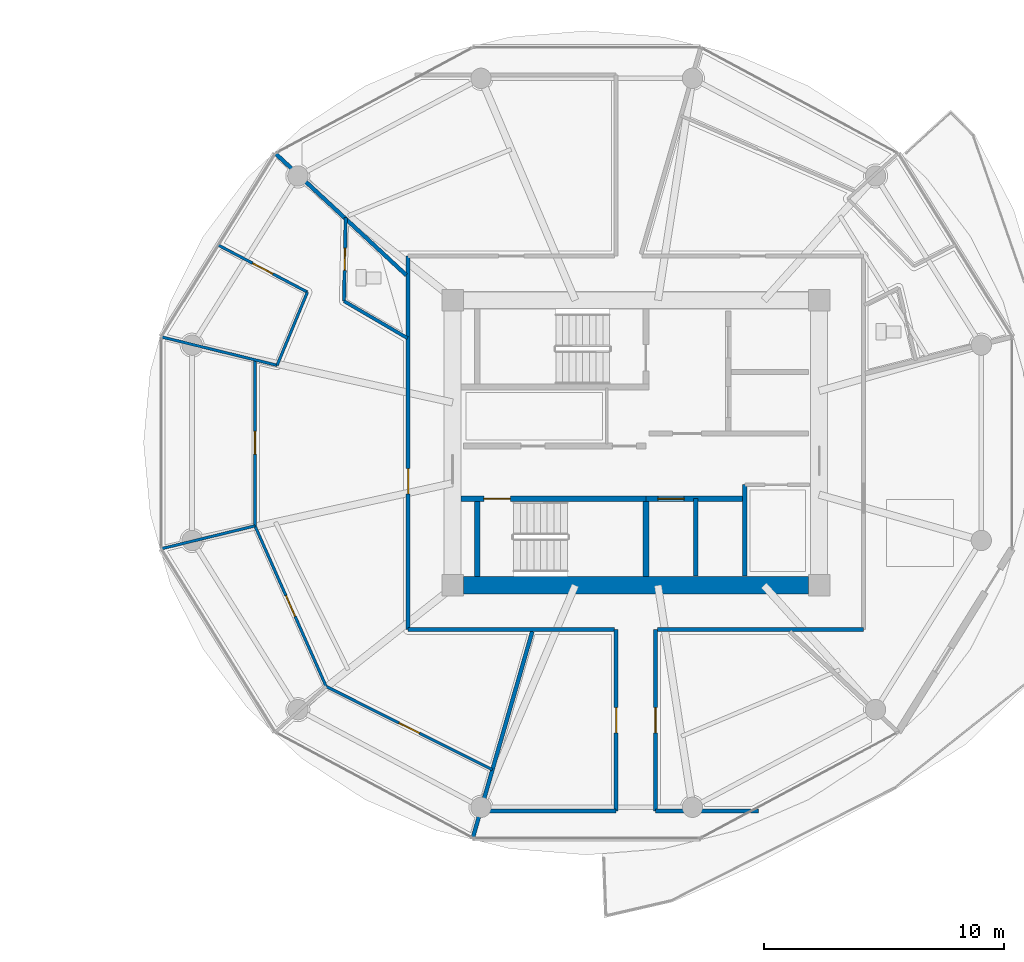
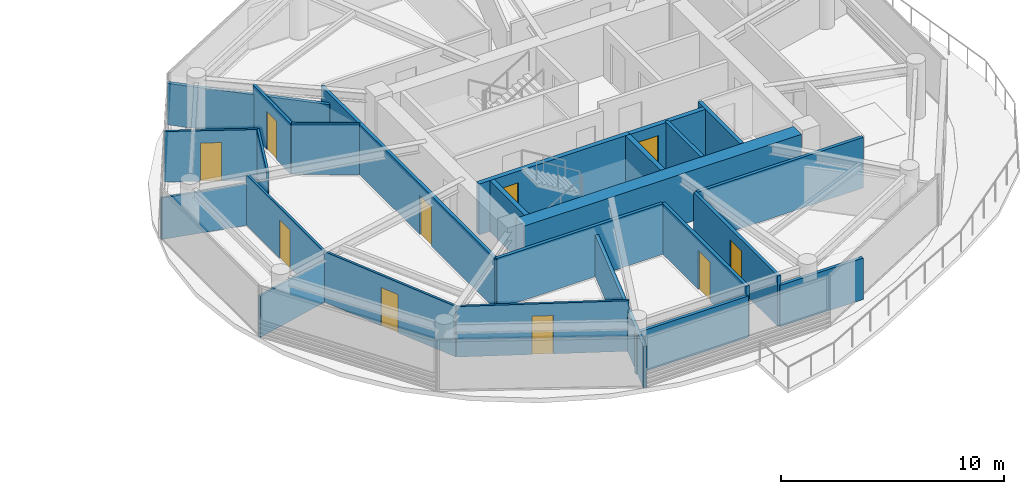
# One storey, part 15 of 25: 25 walls, 10 doors, 10 openings.
"""IFC4 building model written with IfcOpenShell, lengths in metres."""

from ifc_helpers import new_model, si_unit, direction, frame, frame_2d, origin, place, context, subcontext, project, spatial, rectangle, extrude, source, transform, mapped, material, layer, layer_set, type_object, type_shapes, element, fill, save


model = new_model("IFC4")

# Units and contexts
model_context = context("Model", 3, precision=1e-05, world=origin(), true_north=direction((0.0, 1.0)))
body_context = subcontext(model_context, "Body", "Model", "MODEL_VIEW")
ifc_project = project(units=[si_unit("LENGTHUNIT", "METRE"), si_unit("AREAUNIT", "SQUARE_METRE"), si_unit("VOLUMEUNIT", "CUBIC_METRE"), si_unit("PLANEANGLEUNIT", "RADIAN"), si_unit("MASSUNIT", "GRAM", prefix="KILO")], contexts=[model_context])

# Site, building, storey
site_placement = place(None, origin())
site = spatial("IfcSite", under=ifc_project, at=site_placement, CompositionType="ELEMENT")
building_placement = place(site_placement, origin())
building = spatial("IfcBuilding", under=site, at=building_placement, Name="Norrkilde Senior Care Towers", CompositionType="ELEMENT")
storey_placement = place(building_placement, frame((0.0, 0.0, 99.300048828125)))
storey = spatial("IfcBuildingStorey", under=building, at=storey_placement, Name="L30", CompositionType="ELEMENT", Elevation=99.300048828125)

# Walls
ifc_material_1 = material(Name="Concrete C60/75", Category="concrete")
ifc_layer_1 = layer(ifc_material_1, 0.719970703125)
ifc_layer_set_1 = layer_set([ifc_layer_1], Name="Concrete C60/75")
wall_type_1 = type_object("IfcWallType", Name="Core Shear Wall Z2 720", PredefinedType="SHEAR", material=ifc_layer_set_1)
shared_shape_1 = source(origin(), body_context, "Body", "SweptSolid", [
    extrude(rectangle(XDim=14.39990234375, YDim=0.719970703125, at=frame_2d((7.199951171875, 0.0))), origin(), (0.0, 0.0, 1.0), 2.7900390625),
])
type_shapes(wall_type_1, [shared_shape_1])
wall_1_placement = place(storey_placement, frame((35.199951171875, -5.949951171875, 0.0), z_axis=(0.0, 0.0, 1.0), x_axis=(-1.0, 0.0, 0.0)))
element("IfcWall", 1, at=wall_1_placement, inside=storey, type_object=wall_type_1, Name="L30 Core E South Shear Wall", PredefinedType="SHEAR", context=body_context, shape_type="MappedRepresentation", body=[
    mapped(shared_shape_1, transform((0.0, 0.0, 0.0), x_axis=(1.0, 0.0, 0.0), y_axis=(0.0, 1.0, 0.0), z_axis=(0.0, 0.0, 1.0), scale=1.0)),
])
ifc_material_2 = material(Name="Concrete C45/55", Category="concrete")
ifc_layer_2 = layer(ifc_material_2, 0.199951171875)
ifc_layer_set_2 = layer_set([ifc_layer_2], Name="Concrete C45/55")
wall_type_2 = type_object("IfcWallType", Name="Shaft Division and Plant Partition 200", PredefinedType="PARTITIONING", material=ifc_layer_set_2)
shared_shape_2 = source(origin(), body_context, "Body", "SweptSolid", [
    extrude(rectangle(XDim=3.800048828125, YDim=0.199951171875, at=frame_2d((1.89990234375, 0.0))), origin(), (0.0, 0.0, 1.0), 2.77490234375),
])
type_shapes(wall_type_2, [shared_shape_2])
wall_2_placement = place(storey_placement, frame((32.550048828125, -5.550048828125, 0.0), z_axis=(0.0, 0.0, 1.0), x_axis=(0.0, 1.0, 0.0)))
element("IfcWall", 2, at=wall_2_placement, inside=storey, type_object=wall_type_2, Name="WL-INT-L30-E-PKBE", PredefinedType="PARTITIONING", context=body_context, shape_type="MappedRepresentation", body=[
    mapped(shared_shape_2, transform((0.0, 0.0, 0.0), x_axis=(1.0, 0.0, 0.0), y_axis=(0.0, 1.0, 0.0), z_axis=(0.0, 0.0, 1.0), scale=1.0)),
])

# Wall, opening, door
ifc_layer_3 = layer(ifc_material_2, 0.239990234375)
ifc_layer_set_3 = layer_set([ifc_layer_3], Name="Concrete C45/55")
wall_type_3 = type_object("IfcWallType", Name="Lift and Plant Rated Enclosure Partition 240", PredefinedType="PARTITIONING", material=ifc_layer_set_3)
shared_shape_3 = source(origin(), body_context, "Body", "SweptSolid", [
    extrude(rectangle(XDim=4.130126953125, YDim=0.239990234375, at=frame_2d((2.06494140625, 0.0))), origin(), (0.0, 0.0, 1.0), 2.77490234375),
])
type_shapes(wall_type_3, [shared_shape_3])
wall_3_placement = place(storey_placement, frame((28.419921875, -2.330078125, 0.0), z_axis=(0.0, 0.0, 1.0), x_axis=(1.0, 0.0, 0.0)))
wall_3 = element("IfcWall", 3, at=wall_3_placement, inside=storey, type_object=wall_type_3, Name="WL-INT-L30-E-PKBN", PredefinedType="PARTITIONING", context=body_context, shape_type="MappedRepresentation", body=[
    mapped(shared_shape_3, transform((0.0, 0.0, 0.0), x_axis=(1.0, 0.0, 0.0), y_axis=(0.0, 1.0, 0.0), z_axis=(0.0, 0.0, 1.0), scale=1.0)),
])
opening_1_placement = place(wall_3_placement, frame((0.5, 0.0, 0.0)))
opening_1 = element("IfcOpeningElement", 4, at=opening_1_placement, cuts=wall_3, Name="Opening LD-01", PredefinedType="OPENING", context=body_context, shape_type="SweptSolid", body=[
    extrude(rectangle(XDim=1.10009765625, YDim=2.199951171875, at=frame_2d((0.550048828125, 1.10009765625))), frame((0.0, 0.1298828125, 0.0), z_axis=(0.0, -1.0, 0.0), x_axis=(1.0, 0.0, 0.0)), (0.0, 0.0, 1.0), 0.260009765625),
])
ifc_material_3 = material(Name="Stainless Steel", Category="steel")
door_type_1 = type_object("IfcDoorType", Name="Lift Landing Sliding Door 1100x2200", OperationType="NOTDEFINED", PredefinedType="DOOR", material=ifc_material_3)
shared_shape_4 = source(origin(), body_context, "Body", "SweptSolid", [
    extrude(rectangle(XDim=1.10009765625, YDim=2.199951171875, at=frame_2d((0.550048828125, 1.10009765625))), frame((0.0, 0.02490234375, 0.0), z_axis=(0.0, -1.0, 0.0), x_axis=(1.0, 0.0, 0.0)), (0.0, 0.0, 1.0), 0.050048828125),
])
type_shapes(door_type_1, [shared_shape_4])
door_1_placement = place(opening_1_placement, frame((1.10009765625, 0.0, 0.0), z_axis=(0.0, 0.0, 1.0), x_axis=(-1.0, 0.0, 0.0)))
door_1 = element("IfcDoor", 5, at=door_1_placement, inside=storey, type_object=door_type_1, Name="L30 Passenger Lift E3 Landing Door", OperationType="SLIDING_TO_LEFT", OverallHeight=2.199951171875, OverallWidth=1.10009765625, PredefinedType="DOOR", context=body_context, shape_type="MappedRepresentation", body=[
    mapped(shared_shape_4, transform((0.0, 0.0, 0.0), x_axis=(1.0, 0.0, 0.0), y_axis=(0.0, 1.0, 0.0), z_axis=(0.0, 0.0, 1.0), scale=1.0)),
])
fill(opening_1, door_1)

# Wall
ifc_layer_4 = layer(ifc_material_2, 0.179931640625)
ifc_layer_set_4 = layer_set([ifc_layer_4], Name="Concrete C45/55")
wall_type_4 = type_object("IfcWallType", Name="Hoistway Division Rated Partition 180", PredefinedType="PARTITIONING", material=ifc_layer_set_4)
shared_shape_5 = source(origin(), body_context, "Body", "SweptSolid", [
    extrude(rectangle(XDim=3.219970703125, YDim=0.179931640625, at=frame_2d((1.60986328125, 0.0))), origin(), (0.0, 0.0, 1.0), 2.77490234375),
])
type_shapes(wall_type_4, [shared_shape_5])
wall_4_placement = place(storey_placement, frame((30.5, -5.550048828125, 0.0), z_axis=(0.0, 0.0, 1.0), x_axis=(0.0, 1.0, 0.0)))
element("IfcWall", 6, at=wall_4_placement, inside=storey, type_object=wall_type_4, Name="WL-INT-L30-E-PL34", PredefinedType="PARTITIONING", context=body_context, shape_type="MappedRepresentation", body=[
    mapped(shared_shape_5, transform((0.0, 0.0, 0.0), x_axis=(1.0, 0.0, 0.0), y_axis=(0.0, 1.0, 0.0), z_axis=(0.0, 0.0, 1.0), scale=1.0)),
])

# Wall, opening, door
ifc_material_4 = material(Name="Gypsum Acoustic Board")
ifc_layer_5 = layer(ifc_material_4, 0.1650390625)
ifc_layer_set_5 = layer_set([ifc_layer_5], Name="Gypsum Acoustic Board")
wall_type_5 = type_object("IfcWallType", Name="Corridor Rated Partition 165", PredefinedType="PARTITIONING", material=ifc_layer_set_5)
shared_shape_6 = source(origin(), body_context, "Body", "SweptSolid", [
    extrude(rectangle(XDim=15.60009765625, YDim=0.1650390625, at=frame_2d((7.800048828125, 0.0))), origin(), (0.0, 0.0, 1.0), 2.77490234375),
])
wall_5_placement = place(storey_placement, frame((18.5, -7.800048828125, 0.0), z_axis=(0.0, 0.0, 1.0), x_axis=(0.0, 1.0, 0.0)))
wall_5 = element("IfcWall", 7, at=wall_5_placement, inside=storey, type_object=wall_type_5, Name="WL-INT-L30-E-CRW-W-0", PredefinedType="PARTITIONING", context=body_context, shape_type="MappedRepresentation", body=[
    mapped(shared_shape_6, transform((0.0, 0.0, 0.0), x_axis=(1.0, 0.0, 0.0), y_axis=(0.0, 1.0, 0.0), z_axis=(0.0, 0.0, 1.0), scale=1.0)),
])
opening_2_placement = place(wall_5_placement, frame((5.672607421875, 0.0, 0.0)))
opening_2 = element("IfcOpeningElement", 8, at=opening_2_placement, cuts=wall_5, Name="Opening D-06", PredefinedType="OPENING", context=body_context, shape_type="SweptSolid", body=[
    extrude(rectangle(XDim=1.050048828125, YDim=2.14990234375, at=frame_2d((0.52490234375, 1.074951171875))), frame((0.0, 0.092529296875, 0.0), z_axis=(0.0, -1.0, 0.0), x_axis=(1.0, 0.0, 0.0)), (0.0, 0.0, 1.0), 0.18505859375),
])
ifc_material_5 = material(Name="Nordic Ash Timber", Category="wood")
door_type_2 = type_object("IfcDoorType", Name="Apartment Entrance Fire Door 1050x2150", OperationType="NOTDEFINED", PredefinedType="DOOR", material=ifc_material_5)
shared_shape_7 = source(origin(), body_context, "Body", "SweptSolid", [
    extrude(rectangle(XDim=1.050048828125, YDim=2.14990234375, at=frame_2d((0.52490234375, 1.074951171875))), frame((0.0, 0.02490234375, 0.0), z_axis=(0.0, -1.0, 0.0), x_axis=(1.0, 0.0, 0.0)), (0.0, 0.0, 1.0), 0.050048828125),
])
type_shapes(door_type_2, [shared_shape_7])
door_2_placement = place(opening_2_placement, frame((1.050048828125, 0.0, 0.0), z_axis=(0.0, 0.0, 1.0), x_axis=(-1.0, 0.0, 0.0)))
door_2 = element("IfcDoor", 9, at=door_2_placement, inside=storey, type_object=door_type_2, Name="Apartment 30A Entrance Door", OperationType="SINGLE_SWING_LEFT", OverallHeight=2.14990234375, OverallWidth=1.050048828125, PredefinedType="DOOR", context=body_context, shape_type="MappedRepresentation", body=[
    mapped(shared_shape_7, transform((0.0, 0.0, 0.0), x_axis=(1.0, 0.0, 0.0), y_axis=(0.0, 1.0, 0.0), z_axis=(0.0, 0.0, 1.0), scale=1.0)),
])
fill(opening_2, door_2)

ifc_layer_6 = layer(ifc_material_2, 0.239990234375)
ifc_layer_set_6 = layer_set([ifc_layer_6], Name="Concrete C45/55")
wall_type_6 = type_object("IfcWallType", Name="Shaft and Stair Enclosure Wall 240", PredefinedType="PARTITIONING", material=ifc_layer_set_6)
shared_shape_8 = source(origin(), body_context, "Body", "SweptSolid", [
    extrude(rectangle(XDim=7.830078125, YDim=0.239990234375, at=frame_2d((3.9150390625, 0.0))), origin(), (0.0, 0.0, 1.0), 2.7900390625),
])
wall_6_placement = place(storey_placement, frame((20.7099609375, -2.330078125, 0.0), z_axis=(0.0, 0.0, 1.0), x_axis=(1.0, 0.0, 0.0)))
wall_6 = element("IfcWall", 10, at=wall_6_placement, inside=storey, type_object=wall_type_6, Name="WL-INT-L30-E-ST2N", PredefinedType="PARTITIONING", context=body_context, shape_type="MappedRepresentation", body=[
    mapped(shared_shape_8, transform((0.0, 0.0, 0.0), x_axis=(1.0, 0.0, 0.0), y_axis=(0.0, 1.0, 0.0), z_axis=(0.0, 0.0, 1.0), scale=1.0)),
])
opening_3_placement = place(wall_6_placement, frame((0.949951171875, 0.0, 0.0)))
opening_3 = element("IfcOpeningElement", 11, at=opening_3_placement, cuts=wall_6, Name="Opening D-03", PredefinedType="OPENING", context=body_context, shape_type="SweptSolid", body=[
    extrude(rectangle(XDim=1.10009765625, YDim=2.14990234375, at=frame_2d((0.550048828125, 1.074951171875))), frame((0.0, 0.1298828125, 0.0), z_axis=(0.0, -1.0, 0.0), x_axis=(1.0, 0.0, 0.0)), (0.0, 0.0, 1.0), 0.260009765625),
])
ifc_material_6 = material(Name="Galvanised Painted Steel", Category="steel")
door_type_3 = type_object("IfcDoorType", Name="Stairwell Protected Fire Door 1100x2150", OperationType="NOTDEFINED", PredefinedType="DOOR", material=ifc_material_6)
shared_shape_9 = source(origin(), body_context, "Body", "SweptSolid", [
    extrude(rectangle(XDim=1.10009765625, YDim=2.14990234375, at=frame_2d((0.550048828125, 1.074951171875))), frame((0.0, 0.02490234375, 0.0), z_axis=(0.0, -1.0, 0.0), x_axis=(1.0, 0.0, 0.0)), (0.0, 0.0, 1.0), 0.050048828125),
])
type_shapes(door_type_3, [shared_shape_9])
door_3_placement = place(opening_3_placement, frame((1.10009765625, 0.0, 0.0), z_axis=(0.0, 0.0, 1.0), x_axis=(-1.0, 0.0, 0.0)))
door_3 = element("IfcDoor", 12, at=door_3_placement, inside=storey, type_object=door_type_3, Name="L30 Stair E2 Fire Door", OperationType="SINGLE_SWING_RIGHT", OverallHeight=2.14990234375, OverallWidth=1.10009765625, PredefinedType="DOOR", context=body_context, shape_type="MappedRepresentation", body=[
    mapped(shared_shape_9, transform((0.0, 0.0, 0.0), x_axis=(1.0, 0.0, 0.0), y_axis=(0.0, 1.0, 0.0), z_axis=(0.0, 0.0, 1.0), scale=1.0)),
])
fill(opening_3, door_3)

# Walls
shared_shape_10 = source(origin(), body_context, "Body", "SweptSolid", [
    extrude(rectangle(XDim=3.14013671875, YDim=0.239990234375, at=frame_2d((1.570068359375, 0.0))), origin(), (0.0, 0.0, 1.0), 2.7900390625),
])
type_shapes(wall_type_6, [shared_shape_8, shared_shape_10])
for number, where, z_axis, x_axis, name in (
    (13, (21.3798828125, -5.590087890625, 0.0), (0.0, 0.0, 1.0), (0.0, 1.0, 0.0), "WL-INT-L30-E-ST2W"),
    (14, (28.419921875, -5.590087890625, 0.0), (0.0, 0.0, 1.0), (0.0, 1.0, 0.0), "WL-INT-L30-E-ST2E"),
):
    element("IfcWall", number, at=place(storey_placement, frame(where, z_axis=z_axis, x_axis=x_axis)), inside=storey, type_object=wall_type_6, Name=name, PredefinedType="PARTITIONING", context=body_context, shape_type="MappedRepresentation", body=[
        mapped(shared_shape_10, transform((0.0, 0.0, 0.0), x_axis=(1.0, 0.0, 0.0), y_axis=(0.0, 1.0, 0.0), z_axis=(0.0, 0.0, 1.0), scale=1.0)),
    ])
shared_shape_11 = source(origin(), body_context, "Body", "SweptSolid", [
    extrude(rectangle(XDim=8.60009765625, YDim=0.1650390625, at=frame_2d((4.300048828125, 0.0))), origin(), (0.0, 0.0, 1.0), 2.77490234375),
])
for number, where, z_axis, x_axis, name in (
    (15, (37.5, -7.800048828125, 0.0), (0.0, 0.0, 1.0), (-1.0, 0.0, 0.0), "WL-INT-L30-E-CRW-S-0"),
    (16, (27.10009765625, -7.800048828125, 0.0), (0.0, 0.0, 1.0), (-1.0, 0.0, 0.0), "WL-INT-L30-E-CRW-S-1"),
):
    element("IfcWall", number, at=place(storey_placement, frame(where, z_axis=z_axis, x_axis=x_axis)), inside=storey, type_object=wall_type_5, Name=name, PredefinedType="PARTITIONING", context=body_context, shape_type="MappedRepresentation", body=[
        mapped(shared_shape_11, transform((0.0, 0.0, 0.0), x_axis=(1.0, 0.0, 0.0), y_axis=(0.0, 1.0, 0.0), z_axis=(0.0, 0.0, 1.0), scale=1.0)),
    ])
shared_shape_12 = source(origin(), body_context, "Body", "SweptSolid", [
    extrude(rectangle(XDim=8.9892578125, YDim=0.1650390625, at=frame_2d((4.49462890625, 0.0))), origin(), (0.0, 0.0, 1.0), 2.27490234375),
])
wall_7_placement = place(storey_placement, frame((23.677978515625, -7.8798828125, 0.0), z_axis=(0.0, 0.0, 1.0), x_axis=(-0.27702323008, -0.960863221274, 0.0)))
element("IfcWall", 17, at=wall_7_placement, inside=storey, type_object=wall_type_5, Name="WL-INT-L30-E-DEM-08-0", PredefinedType="PARTITIONING", context=body_context, shape_type="MappedRepresentation", body=[
    mapped(shared_shape_12, transform((0.0, 0.0, 0.0), x_axis=(1.0, 0.0, 0.0), y_axis=(0.0, 1.0, 0.0), z_axis=(0.0, 0.0, 1.0), scale=1.0)),
])
shared_shape_13 = source(origin(), body_context, "Body", "SweptSolid", [
    extrude(rectangle(XDim=7.482177734375, YDim=0.1650390625, at=frame_2d((3.7412109375, 0.0))), origin(), (0.0, 0.0, 1.0), 2.27490234375),
])
wall_8_placement = place(storey_placement, frame((18.419921875, 6.998046875, 0.0), z_axis=(0.0, 0.0, 1.0), x_axis=(-0.732508698043, 0.680757671489, 0.0)))
element("IfcWall", 18, at=wall_8_placement, inside=storey, type_object=wall_type_5, Name="WL-INT-L30-E-DEM-04-0", PredefinedType="PARTITIONING", context=body_context, shape_type="MappedRepresentation", body=[
    mapped(shared_shape_13, transform((0.0, 0.0, 0.0), x_axis=(1.0, 0.0, 0.0), y_axis=(0.0, 1.0, 0.0), z_axis=(0.0, 0.0, 1.0), scale=1.0)),
])

# Wall, opening, door
shared_shape_14 = source(origin(), body_context, "Body", "SweptSolid", [
    extrude(rectangle(XDim=7.56005859375, YDim=0.1650390625, at=frame_2d((3.780029296875, 0.0))), origin(), (0.0, 0.0, 1.0), 2.77490234375),
])
wall_9_placement = place(storey_placement, frame((27.179931640625, -15.360107421875, 0.0), z_axis=(0.0, 0.0, 1.0), x_axis=(0.0, 1.0, 0.0)))
wall_9 = element("IfcWall", 19, at=wall_9_placement, inside=storey, type_object=wall_type_5, Name="WL-INT-L30-E-PKW-SWL", PredefinedType="PARTITIONING", context=body_context, shape_type="MappedRepresentation", body=[
    mapped(shared_shape_14, transform((0.0, 0.0, 0.0), x_axis=(1.0, 0.0, 0.0), y_axis=(0.0, 1.0, 0.0), z_axis=(0.0, 0.0, 1.0), scale=1.0)),
])
opening_4_placement = place(wall_9_placement, frame((3.2548828125, 0.0, 0.0)))
opening_4 = element("IfcOpeningElement", 20, at=opening_4_placement, cuts=wall_9, Name="Opening D-06", PredefinedType="OPENING", context=body_context, shape_type="SweptSolid", body=[
    extrude(rectangle(XDim=1.050048828125, YDim=2.14990234375, at=frame_2d((0.52490234375, 1.074951171875))), frame((0.0, 0.092529296875, 0.0), z_axis=(0.0, -1.0, 0.0), x_axis=(1.0, 0.0, 0.0)), (0.0, 0.0, 1.0), 0.18505859375),
])
door_4_placement = place(opening_4_placement, frame((1.050048828125, 0.0, 0.0), z_axis=(0.0, 0.0, 1.0), x_axis=(-1.0, 0.0, 0.0)))
door_4 = element("IfcDoor", 21, at=door_4_placement, inside=storey, type_object=door_type_2, Name="L30 Reading Lounge SWL Door", OperationType="SINGLE_SWING_RIGHT", OverallHeight=2.14990234375, OverallWidth=1.050048828125, PredefinedType="DOOR", context=body_context, shape_type="MappedRepresentation", body=[
    mapped(shared_shape_7, transform((0.0, 0.0, 0.0), x_axis=(1.0, 0.0, 0.0), y_axis=(0.0, 1.0, 0.0), z_axis=(0.0, 0.0, 1.0), scale=1.0)),
])
fill(opening_4, door_4)

wall_10_placement = place(storey_placement, frame((28.820068359375, -15.360107421875, 0.0), z_axis=(0.0, 0.0, 1.0), x_axis=(0.0, 1.0, 0.0)))
wall_10 = element("IfcWall", 22, at=wall_10_placement, inside=storey, type_object=wall_type_5, Name="WL-INT-L30-E-PKW-SEL", PredefinedType="PARTITIONING", context=body_context, shape_type="MappedRepresentation", body=[
    mapped(shared_shape_14, transform((0.0, 0.0, 0.0), x_axis=(1.0, 0.0, 0.0), y_axis=(0.0, 1.0, 0.0), z_axis=(0.0, 0.0, 1.0), scale=1.0)),
])
opening_5_placement = place(wall_10_placement, frame((3.2548828125, 0.0, 0.0)))
opening_5 = element("IfcOpeningElement", 23, at=opening_5_placement, cuts=wall_10, Name="Opening D-06", PredefinedType="OPENING", context=body_context, shape_type="SweptSolid", body=[
    extrude(rectangle(XDim=1.050048828125, YDim=2.14990234375, at=frame_2d((0.52490234375, 1.074951171875))), frame((0.0, 0.092529296875, 0.0), z_axis=(0.0, -1.0, 0.0), x_axis=(1.0, 0.0, 0.0)), (0.0, 0.0, 1.0), 0.18505859375),
])
door_5_placement = place(opening_5_placement, frame((1.050048828125, 0.0, 0.0), z_axis=(0.0, 0.0, 1.0), x_axis=(-1.0, 0.0, 0.0)))
door_5 = element("IfcDoor", 24, at=door_5_placement, inside=storey, type_object=door_type_2, Name="L30 Reading Lounge SEL Door", OperationType="SINGLE_SWING_RIGHT", OverallHeight=2.14990234375, OverallWidth=1.050048828125, PredefinedType="DOOR", context=body_context, shape_type="MappedRepresentation", body=[
    mapped(shared_shape_7, transform((0.0, 0.0, 0.0), x_axis=(1.0, 0.0, 0.0), y_axis=(0.0, 1.0, 0.0), z_axis=(0.0, 0.0, 1.0), scale=1.0)),
])
fill(opening_5, door_5)

# Walls
shared_shape_15 = source(origin(), body_context, "Body", "SweptSolid", [
    extrude(rectangle(XDim=4.306884765625, YDim=0.1650390625, at=frame_2d((2.1533203125, 0.0))), origin(), (0.0, 0.0, 1.0), 2.27490234375),
])
wall_11_placement = place(storey_placement, frame((28.820068359375, -15.360107421875, 0.0), z_axis=(0.0, 0.0, 1.0), x_axis=(1.0, 0.0, 0.0)))
element("IfcWall", 25, at=wall_11_placement, inside=storey, type_object=wall_type_5, Name="WL-INT-L30-E-PKH-SEL-0", PredefinedType="PARTITIONING", context=body_context, shape_type="MappedRepresentation", body=[
    mapped(shared_shape_15, transform((0.0, 0.0, 0.0), x_axis=(1.0, 0.0, 0.0), y_axis=(0.0, 1.0, 0.0), z_axis=(0.0, 0.0, 1.0), scale=1.0)),
])
shared_shape_16 = source(origin(), body_context, "Body", "SweptSolid", [
    extrude(rectangle(XDim=5.81396484375, YDim=0.1650390625, at=frame_2d((2.906982421875, 0.0))), origin(), (0.0, 0.0, 1.0), 2.27490234375),
])
type_shapes(wall_type_5, [shared_shape_6, shared_shape_11, shared_shape_12, shared_shape_13, shared_shape_14, shared_shape_15, shared_shape_16])
wall_12_placement = place(storey_placement, frame((21.365966796875, -15.360107421875, 0.0), z_axis=(0.0, 0.0, 1.0), x_axis=(1.0, 0.0, 0.0)))
element("IfcWall", 26, at=wall_12_placement, inside=storey, type_object=wall_type_5, Name="WL-INT-L30-E-PKH-SWL-0", PredefinedType="PARTITIONING", context=body_context, shape_type="MappedRepresentation", body=[
    mapped(shared_shape_16, transform((0.0, 0.0, 0.0), x_axis=(1.0, 0.0, 0.0), y_axis=(0.0, 1.0, 0.0), z_axis=(0.0, 0.0, 1.0), scale=1.0)),
])

# Wall, opening, door
ifc_layer_7 = layer(ifc_material_4, 0.114990234375)
ifc_layer_set_7 = layer_set([ifc_layer_7], Name="Gypsum Acoustic Board")
wall_type_7 = type_object("IfcWallType", Name="Internal Room Partition 115", PredefinedType="PARTITIONING", material=ifc_layer_set_7)
shared_shape_17 = source(origin(), body_context, "Body", "SweptSolid", [
    extrude(rectangle(XDim=7.76708984375, YDim=0.114990234375, at=frame_2d((3.883544921875, 0.0))), origin(), (0.0, 0.0, 1.0), 2.77490234375),
])
wall_13_placement = place(storey_placement, frame((15.069580078125, -10.16748046875, 0.0), z_axis=(0.0, 0.0, 1.0), x_axis=(0.894188177352, -0.447691303783, 0.0)))
wall_13 = element("IfcWall", 27, at=wall_13_placement, inside=storey, type_object=wall_type_7, Name="WL-INT-L30-E-UBC-04-3", PredefinedType="PARTITIONING", context=body_context, shape_type="MappedRepresentation", body=[
    mapped(shared_shape_17, transform((0.0, 0.0, 0.0), x_axis=(1.0, 0.0, 0.0), y_axis=(0.0, 1.0, 0.0), z_axis=(0.0, 0.0, 1.0), scale=1.0)),
])
opening_6_placement = place(wall_13_placement, frame((3.40869140625, 0.0, 0.0)))
opening_6 = element("IfcOpeningElement", 28, at=opening_6_placement, cuts=wall_13, Name="Opening D-07", PredefinedType="OPENING", context=body_context, shape_type="SweptSolid", body=[
    extrude(rectangle(XDim=0.949951171875, YDim=2.10009765625, at=frame_2d((0.47509765625, 1.050048828125))), frame((0.0, 0.0673828125, 0.0), z_axis=(0.0, -1.0, 0.0), x_axis=(1.0, 0.0, 0.0)), (0.0, 0.0, 1.0), 0.135009765625),
])
door_type_4 = type_object("IfcDoorType", Name="Internal Suite Bedroom Door 950x2100", OperationType="NOTDEFINED", PredefinedType="DOOR", material=ifc_material_5)
shared_shape_18 = source(origin(), body_context, "Body", "SweptSolid", [
    extrude(rectangle(XDim=0.949951171875, YDim=2.10009765625, at=frame_2d((0.47509765625, 1.050048828125))), frame((0.0, 0.02490234375, 0.0), z_axis=(0.0, -1.0, 0.0), x_axis=(1.0, 0.0, 0.0)), (0.0, 0.0, 1.0), 0.050048828125),
])
type_shapes(door_type_4, [shared_shape_18])
door_6_placement = place(opening_6_placement, origin())
door_6 = element("IfcDoor", 29, at=door_6_placement, inside=storey, type_object=door_type_4, Name="Apartment 30A Bedroom 3 Door", OperationType="SINGLE_SWING_RIGHT", OverallHeight=2.10009765625, OverallWidth=0.949951171875, PredefinedType="DOOR", context=body_context, shape_type="MappedRepresentation", body=[
    mapped(shared_shape_18, transform((0.0, 0.0, 0.0), x_axis=(1.0, 0.0, 0.0), y_axis=(0.0, 1.0, 0.0), z_axis=(0.0, 0.0, 1.0), scale=1.0)),
])
fill(opening_6, door_6)

shared_shape_19 = source(origin(), body_context, "Body", "SweptSolid", [
    extrude(rectangle(XDim=6.93505859375, YDim=0.114990234375, at=frame_2d((3.467529296875, 0.0))), origin(), (0.0, 0.0, 1.0), 2.77490234375),
])
wall_14_placement = place(storey_placement, frame((12.10107421875, 3.467529296875, 0.0), z_axis=(0.0, 0.0, 1.0), x_axis=(0.0, -1.0, 0.0)))
wall_14 = element("IfcWall", 30, at=wall_14_placement, inside=storey, type_object=wall_type_7, Name="WL-INT-L30-E-UBC-04-1", PredefinedType="PARTITIONING", context=body_context, shape_type="MappedRepresentation", body=[
    mapped(shared_shape_19, transform((0.0, 0.0, 0.0), x_axis=(1.0, 0.0, 0.0), y_axis=(0.0, 1.0, 0.0), z_axis=(0.0, 0.0, 1.0), scale=1.0)),
])
opening_7_placement = place(wall_14_placement, frame((2.99267578125, 0.0, 0.0)))
opening_7 = element("IfcOpeningElement", 31, at=opening_7_placement, cuts=wall_14, Name="Opening D-07", PredefinedType="OPENING", context=body_context, shape_type="SweptSolid", body=[
    extrude(rectangle(XDim=0.949951171875, YDim=2.10009765625, at=frame_2d((0.47509765625, 1.050048828125))), frame((0.0, 0.0673828125, 0.0), z_axis=(0.0, -1.0, 0.0), x_axis=(1.0, 0.0, 0.0)), (0.0, 0.0, 1.0), 0.135009765625),
])
door_7_placement = place(opening_7_placement, origin())
door_7 = element("IfcDoor", 32, at=door_7_placement, inside=storey, type_object=door_type_4, Name="Apartment 30A Bedroom 1 Door", OperationType="SINGLE_SWING_RIGHT", OverallHeight=2.10009765625, OverallWidth=0.949951171875, PredefinedType="DOOR", context=body_context, shape_type="MappedRepresentation", body=[
    mapped(shared_shape_18, transform((0.0, 0.0, 0.0), x_axis=(1.0, 0.0, 0.0), y_axis=(0.0, 1.0, 0.0), z_axis=(0.0, 0.0, 1.0), scale=1.0)),
])
fill(opening_7, door_7)

# Wall
shared_shape_20 = source(origin(), body_context, "Body", "SweptSolid", [
    extrude(rectangle(XDim=4.992431640625, YDim=0.114990234375, at=frame_2d((2.49609375, 0.0))), origin(), (0.0, 0.0, 1.0), 2.27490234375),
])
wall_15_placement = place(storey_placement, frame((13.025634765625, 3.236083984375, 0.0), z_axis=(0.0, 0.0, 1.0), x_axis=(-0.971191841847, 0.238298985162, 0.0)))
element("IfcWall", 33, at=wall_15_placement, inside=storey, type_object=wall_type_7, Name="WL-INT-L30-E-UBR-04-1", PredefinedType="PARTITIONING", context=body_context, shape_type="MappedRepresentation", body=[
    mapped(shared_shape_20, transform((0.0, 0.0, 0.0), x_axis=(1.0, 0.0, 0.0), y_axis=(0.0, 1.0, 0.0), z_axis=(0.0, 0.0, 1.0), scale=1.0)),
])

# Wall, opening, door
shared_shape_21 = source(origin(), body_context, "Body", "SweptSolid", [
    extrude(rectangle(XDim=7.326171875, YDim=0.114990234375, at=frame_2d((3.6630859375, 0.0))), origin(), (0.0, 0.0, 1.0), 2.77490234375),
])
wall_16_placement = place(storey_placement, frame((12.103515625, -3.467041015625, 0.0), z_axis=(0.0, 0.0, 1.0), x_axis=(0.405263245425, -0.914200033859, 0.0)))
wall_16 = element("IfcWall", 34, at=wall_16_placement, inside=storey, type_object=wall_type_7, Name="WL-INT-L30-E-UBC-04-2", PredefinedType="PARTITIONING", context=body_context, shape_type="MappedRepresentation", body=[
    mapped(shared_shape_21, transform((0.0, 0.0, 0.0), x_axis=(1.0, 0.0, 0.0), y_axis=(0.0, 1.0, 0.0), z_axis=(0.0, 0.0, 1.0), scale=1.0)),
])
opening_8_placement = place(wall_16_placement, frame((3.18798828125, 0.0, 0.0)))
opening_8 = element("IfcOpeningElement", 35, at=opening_8_placement, cuts=wall_16, Name="Opening D-07", PredefinedType="OPENING", context=body_context, shape_type="SweptSolid", body=[
    extrude(rectangle(XDim=0.949951171875, YDim=2.10009765625, at=frame_2d((0.47509765625, 1.050048828125))), frame((0.0, 0.0673828125, 0.0), z_axis=(0.0, -1.0, 0.0), x_axis=(1.0, 0.0, 0.0)), (0.0, 0.0, 1.0), 0.135009765625),
])
door_8_placement = place(opening_8_placement, frame((0.949951171875, 0.0, 0.0), z_axis=(0.0, 0.0, 1.0), x_axis=(-1.0, 0.0, 0.0)))
door_8 = element("IfcDoor", 36, at=door_8_placement, inside=storey, type_object=door_type_4, Name="Apartment 30A Bedroom 2 Door", OperationType="SINGLE_SWING_LEFT", OverallHeight=2.10009765625, OverallWidth=0.949951171875, PredefinedType="DOOR", context=body_context, shape_type="MappedRepresentation", body=[
    mapped(shared_shape_18, transform((0.0, 0.0, 0.0), x_axis=(1.0, 0.0, 0.0), y_axis=(0.0, 1.0, 0.0), z_axis=(0.0, 0.0, 1.0), scale=1.0)),
])
fill(opening_8, door_8)

# Walls
shared_shape_22 = source(origin(), body_context, "Body", "SweptSolid", [
    extrude(rectangle(XDim=4.041748046875, YDim=0.114990234375, at=frame_2d((2.02099609375, 0.0))), origin(), (0.0, 0.0, 1.0), 2.27490234375),
])
wall_17_placement = place(storey_placement, frame((12.103515625, -3.467041015625, 0.0), z_axis=(0.0, 0.0, 1.0), x_axis=(-0.971460277747, -0.237202295014, 0.0)))
element("IfcWall", 37, at=wall_17_placement, inside=storey, type_object=wall_type_7, Name="WL-INT-L30-E-UBR-04-2", PredefinedType="PARTITIONING", context=body_context, shape_type="MappedRepresentation", body=[
    mapped(shared_shape_22, transform((0.0, 0.0, 0.0), x_axis=(1.0, 0.0, 0.0), y_axis=(0.0, 1.0, 0.0), z_axis=(0.0, 0.0, 1.0), scale=1.0)),
])
ifc_layer_8 = layer(ifc_material_4, 0.139892578125)
ifc_layer_set_8 = layer_set([ifc_layer_8], Name="Gypsum Acoustic Board")
wall_type_8 = type_object("IfcWallType", Name="En-suite Wet Room Wall 140", PredefinedType="PARTITIONING", material=ifc_layer_set_8)
shared_shape_23 = source(origin(), body_context, "Body", "SweptSolid", [
    extrude(rectangle(XDim=3.0693359375, YDim=0.139892578125, at=frame_2d((1.53466796875, 0.0))), origin(), (0.0, 0.0, 1.0), 2.77490234375),
])
wall_18_placement = place(storey_placement, frame((18.469970703125, 4.36767578125, 0.0), z_axis=(0.0, 0.0, 1.0), x_axis=(-0.863524911282, 0.504306184371, 0.0)))
element("IfcWall", 38, at=wall_18_placement, inside=storey, type_object=wall_type_8, Name="WL-INT-L30-E-UBTS-04", PredefinedType="PARTITIONING", context=body_context, shape_type="MappedRepresentation", body=[
    mapped(shared_shape_23, transform((0.0, 0.0, 0.0), x_axis=(1.0, 0.0, 0.0), y_axis=(0.0, 1.0, 0.0), z_axis=(0.0, 0.0, 1.0), scale=1.0)),
])

# Wall, opening, door
shared_shape_24 = source(origin(), body_context, "Body", "SweptSolid", [
    extrude(rectangle(XDim=3.486572265625, YDim=0.139892578125, at=frame_2d((1.7431640625, 0.0))), origin(), (0.0, 0.0, 1.0), 2.77490234375),
])
type_shapes(wall_type_8, [shared_shape_23, shared_shape_24])
wall_19_placement = place(storey_placement, frame((15.819580078125, 5.91552734375, 0.0), z_axis=(0.0, 0.0, 1.0), x_axis=(0.020026799331, 0.999799443543, 0.0)))
wall_19 = element("IfcWall", 39, at=wall_19_placement, inside=storey, type_object=wall_type_8, Name="WL-INT-L30-E-UBTF-04", PredefinedType="PARTITIONING", context=body_context, shape_type="MappedRepresentation", body=[
    mapped(shared_shape_24, transform((0.0, 0.0, 0.0), x_axis=(1.0, 0.0, 0.0), y_axis=(0.0, 1.0, 0.0), z_axis=(0.0, 0.0, 1.0), scale=1.0)),
])
opening_9_placement = place(wall_19_placement, frame((1.283447265625, 0.0, 0.0)))
opening_9 = element("IfcOpeningElement", 40, at=opening_9_placement, cuts=wall_19, Name="Opening D-08", PredefinedType="OPENING", context=body_context, shape_type="SweptSolid", body=[
    extrude(rectangle(XDim=0.919921875, YDim=2.10009765625, at=frame_2d((0.4599609375, 1.050048828125))), frame((0.0, 0.079833984375, 0.0), z_axis=(0.0, -1.0, 0.0), x_axis=(1.0, 0.0, 0.0)), (0.0, 0.0, 1.0), 0.159912109375),
])
door_type_5 = type_object("IfcDoorType", Name="Accessible Wet Room Door 920x2100", OperationType="NOTDEFINED", PredefinedType="DOOR", material=ifc_material_5)
shared_shape_25 = source(origin(), body_context, "Body", "SweptSolid", [
    extrude(rectangle(XDim=0.919921875, YDim=2.10009765625, at=frame_2d((0.4599609375, 1.050048828125))), frame((0.0, 0.02490234375, 0.0), z_axis=(0.0, -1.0, 0.0), x_axis=(1.0, 0.0, 0.0)), (0.0, 0.0, 1.0), 0.050048828125),
])
type_shapes(door_type_5, [shared_shape_25])
door_9_placement = place(opening_9_placement, origin())
door_9 = element("IfcDoor", 41, at=door_9_placement, inside=storey, type_object=door_type_5, Name="Apartment 30A Bathroom Door", OperationType="SINGLE_SWING_RIGHT", OverallHeight=2.10009765625, OverallWidth=0.919921875, PredefinedType="DOOR", context=body_context, shape_type="MappedRepresentation", body=[
    mapped(shared_shape_25, transform((0.0, 0.0, 0.0), x_axis=(1.0, 0.0, 0.0), y_axis=(0.0, 1.0, 0.0), z_axis=(0.0, 0.0, 1.0), scale=1.0)),
])
fill(opening_9, door_9)

shared_shape_26 = source(origin(), body_context, "Body", "SweptSolid", [
    extrude(rectangle(XDim=4.220703125, YDim=0.114990234375, at=frame_2d((2.1103515625, 0.0))), origin(), (0.0, 0.0, 1.0), 2.77490234375),
])
wall_20_placement = place(storey_placement, frame((14.291748046875, 6.2900390625, 0.0), z_axis=(0.0, 0.0, 1.0), x_axis=(-0.88458298465, 0.466382829087, 0.0)))
wall_20 = element("IfcWall", 42, at=wall_20_placement, inside=storey, type_object=wall_type_7, Name="WL-INT-L30-E-UKTS-04", PredefinedType="PARTITIONING", context=body_context, shape_type="MappedRepresentation", body=[
    mapped(shared_shape_26, transform((0.0, 0.0, 0.0), x_axis=(1.0, 0.0, 0.0), y_axis=(0.0, 1.0, 0.0), z_axis=(0.0, 0.0, 1.0), scale=1.0)),
])
opening_10_placement = place(wall_20_placement, frame((1.635498046875, 0.0, 0.0)))
opening_10 = element("IfcOpeningElement", 43, at=opening_10_placement, cuts=wall_20, Name="Opening D-07", PredefinedType="OPENING", context=body_context, shape_type="SweptSolid", body=[
    extrude(rectangle(XDim=0.949951171875, YDim=2.10009765625, at=frame_2d((0.47509765625, 1.050048828125))), frame((0.0, 0.0673828125, 0.0), z_axis=(0.0, -1.0, 0.0), x_axis=(1.0, 0.0, 0.0)), (0.0, 0.0, 1.0), 0.135009765625),
])
door_10_placement = place(opening_10_placement, frame((0.949951171875, 0.0, 0.0), z_axis=(0.0, 0.0, 1.0), x_axis=(-1.0, 0.0, 0.0)))
door_10 = element("IfcDoor", 44, at=door_10_placement, inside=storey, type_object=door_type_4, Name="Apartment 30A Kitchen Door", OperationType="SINGLE_SWING_LEFT", OverallHeight=2.10009765625, OverallWidth=0.949951171875, PredefinedType="DOOR", context=body_context, shape_type="MappedRepresentation", body=[
    mapped(shared_shape_18, transform((0.0, 0.0, 0.0), x_axis=(1.0, 0.0, 0.0), y_axis=(0.0, 1.0, 0.0), z_axis=(0.0, 0.0, 1.0), scale=1.0)),
])
fill(opening_10, door_10)

# Wall
shared_shape_27 = source(origin(), body_context, "Body", "SweptSolid", [
    extrude(rectangle(XDim=3.3056640625, YDim=0.114990234375, at=frame_2d((1.65283203125, 0.0))), origin(), (0.0, 0.0, 1.0), 2.77490234375),
])
type_shapes(wall_type_7, [shared_shape_17, shared_shape_19, shared_shape_20, shared_shape_21, shared_shape_22, shared_shape_26, shared_shape_27])
wall_21_placement = place(storey_placement, frame((14.291748046875, 6.2900390625, 0.0), z_axis=(0.0, 0.0, 1.0), x_axis=(-0.382506175075, -0.923952934965, 0.0)))
element("IfcWall", 45, at=wall_21_placement, inside=storey, type_object=wall_type_7, Name="WL-INT-L30-E-UKTF-04", PredefinedType="PARTITIONING", context=body_context, shape_type="MappedRepresentation", body=[
    mapped(shared_shape_27, transform((0.0, 0.0, 0.0), x_axis=(1.0, 0.0, 0.0), y_axis=(0.0, 1.0, 0.0), z_axis=(0.0, 0.0, 1.0), scale=1.0)),
])

save(model, "model.ifc")
